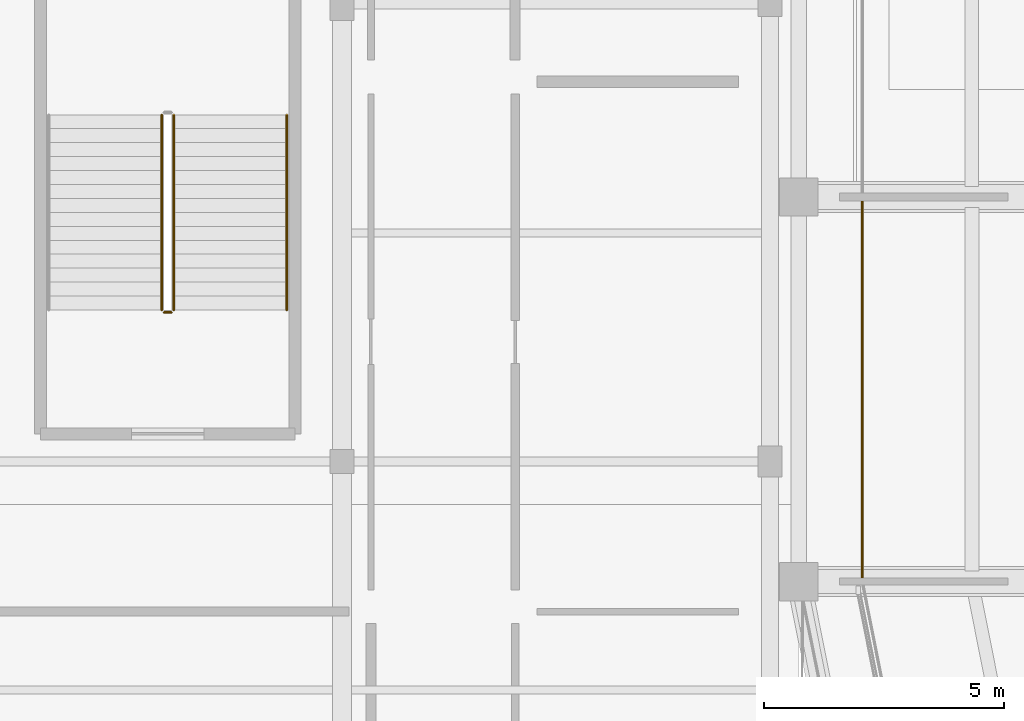
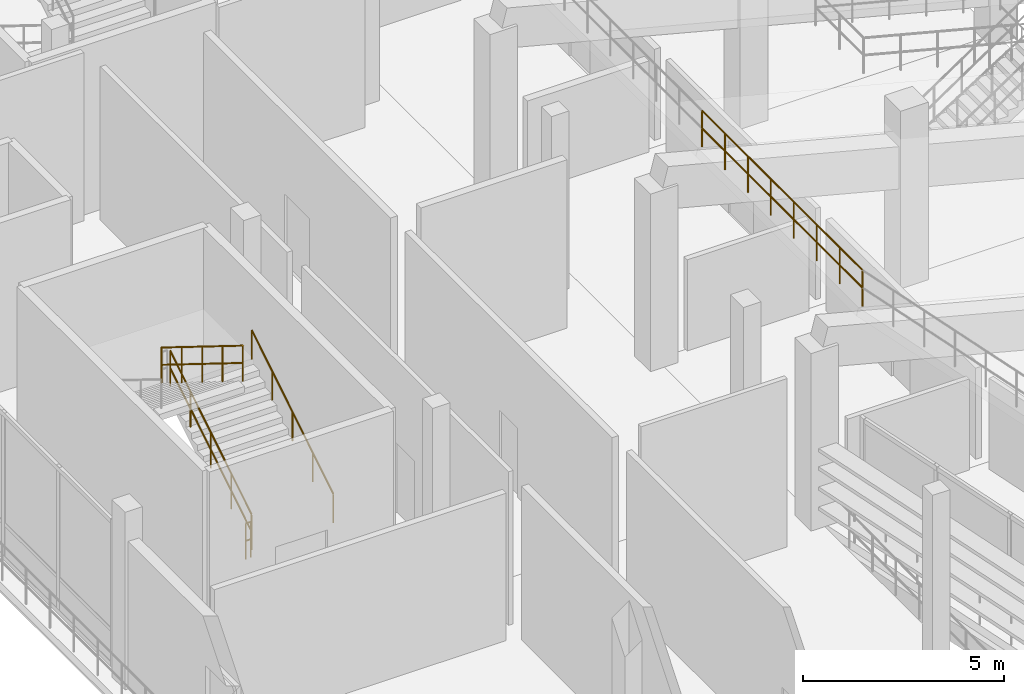
# One storey, part 81 of 96: 5 railings.
"""IFC4 building model written with IfcOpenShell, lengths in metres."""

from ifc_helpers import new_model, si_unit, direction, frame, origin, origin_2d, place, context, subcontext, project, spatial, circle, extrude, material, layer, layer_set, type_object, element, save


model = new_model("IFC4")

# Units and contexts
model_context = context("Model", 3, precision=1e-05, world=origin(), true_north=direction((0.0, 1.0)))
body_context = subcontext(model_context, "Body", "Model", "MODEL_VIEW")
ifc_project = project(units=[si_unit("LENGTHUNIT", "METRE"), si_unit("AREAUNIT", "SQUARE_METRE"), si_unit("VOLUMEUNIT", "CUBIC_METRE"), si_unit("PLANEANGLEUNIT", "RADIAN"), si_unit("MASSUNIT", "GRAM", prefix="KILO")], contexts=[model_context])

# Site, building, storey
site_placement = place(None, origin())
site = spatial("IfcSite", under=ifc_project, at=site_placement, CompositionType="ELEMENT")
building_placement = place(site_placement, origin())
building = spatial("IfcBuilding", under=site, at=building_placement, Name="Candeia Ridge Stadium", CompositionType="ELEMENT")
storey_placement = place(building_placement, frame((0.0, 0.0, 21.60009765625)))
storey = spatial("IfcBuildingStorey", under=building, at=storey_placement, Name="L04", CompositionType="ELEMENT", Elevation=21.60009765625)

# Railings
ifc_material_1 = material(Name="Galvanized Powder-Coated Steel", Category="steel")
ifc_layer_1 = layer(ifc_material_1, 0.074951171875, Name="Galvanized Powder-Coated Steel", Category="steel")
ifc_layer_set_1 = layer_set([ifc_layer_1], Name="Galvanized Powder-Coated Steel")
railing_type_1 = type_object("IfcRailingType", Name="Spectator Bowl Front Guardrail 1120", PredefinedType="GUARDRAIL", material=ifc_layer_set_1)
railing_1_placement = place(storey_placement, frame((20.320068359375, 79.0, 6.0)))
element("IfcRailing", 1, at=railing_1_placement, inside=storey, type_object=railing_type_1, Name="Stand T3 rear safety guardrail bay 14", PredefinedType="GUARDRAIL", context=body_context, shape_type="SweptSolid", body=[
    extrude(circle(Radius=0.02392578125, at=origin_2d()), frame((0.0, 0.0, 1.09619140625), z_axis=(0.0, -1.0, 0.0), x_axis=(1.0, 0.0, 0.0)), (0.0, 0.0, 1.0), 8.0),
    extrude(circle(Radius=0.02392578125, at=origin_2d()), frame((0.0, 0.0, 0.56005859375), z_axis=(0.0, -1.0, 0.0), x_axis=(1.0, 0.0, 0.0)), (0.0, 0.0, 1.0), 8.0),
    extrude(circle(Radius=0.02099609375, at=origin_2d()), origin(), (0.0, 0.0, 1.0), 1.072021484375),
    extrude(circle(Radius=0.02099609375, at=origin_2d()), frame((0.0, -1.142822265625, 0.0)), (0.0, 0.0, 1.0), 1.072021484375),
    extrude(circle(Radius=0.02099609375, at=origin_2d()), frame((0.0, -2.28564453125, 0.0)), (0.0, 0.0, 1.0), 1.072021484375),
    extrude(circle(Radius=0.02099609375, at=origin_2d()), frame((0.0, -3.428466796875, 0.0)), (0.0, 0.0, 1.0), 1.072021484375),
    extrude(circle(Radius=0.02099609375, at=origin_2d()), frame((0.0, -4.571533203125, 0.0)), (0.0, 0.0, 1.0), 1.072021484375),
    extrude(circle(Radius=0.02099609375, at=origin_2d()), frame((0.0, -5.71435546875, 0.0)), (0.0, 0.0, 1.0), 1.072021484375),
    extrude(circle(Radius=0.02099609375, at=origin_2d()), frame((0.0, -6.857177734375, 0.0)), (0.0, 0.0, 1.0), 1.072021484375),
    extrude(circle(Radius=0.02099609375, at=origin_2d()), frame((0.0, -8.0, 0.0)), (0.0, 0.0, 1.0), 1.072021484375),
])
ifc_material_2 = material(Name="Brushed Stainless Steel", Category="steel")
ifc_layer_2 = layer(ifc_material_2, 0.048095703125, Name="Brushed Stainless Steel", Category="steel")
ifc_layer_set_2 = layer_set([ifc_layer_2], Name="Brushed Stainless Steel")
railing_type_2 = type_object("IfcRailingType", Name="Stair Wall & Flight Handrail 900", PredefinedType="HANDRAIL", material=ifc_layer_set_2)
railing_2_placement = place(storey_placement, frame((8.35009765625, 76.64990234375, 0.179931640625)))
element("IfcRailing", 2, at=railing_2_placement, inside=storey, type_object=railing_type_2, Name="L04 ST07 stair handrail 1", PredefinedType="HANDRAIL", context=body_context, shape_type="SweptSolid", body=[
    extrude(circle(Radius=0.02392578125, at=origin_2d()), frame((0.0, 0.0, 0.8759765625), z_axis=(0.0, 0.849641744969, 0.527360318194), x_axis=(-1.0, 0.0, 0.0)), (0.0, 0.0, 1.0), 4.778564453125),
    extrude(circle(Radius=0.02099609375, at=origin_2d()), origin(), (0.0, 0.0, 1.0), 0.851806640625),
    extrude(circle(Radius=0.02099609375, at=origin_2d()), frame((0.0, 1.01513671875, 0.6298828125)), (0.0, 0.0, 1.0), 0.851806640625),
    extrude(circle(Radius=0.02099609375, at=origin_2d()), frame((0.0, 2.030029296875, 1.260009765625)), (0.0, 0.0, 1.0), 0.851806640625),
    extrude(circle(Radius=0.02099609375, at=origin_2d()), frame((0.0, 3.044921875, 1.89013671875)), (0.0, 0.0, 1.0), 0.851806640625),
    extrude(circle(Radius=0.02099609375, at=origin_2d()), frame((0.0, 4.06005859375, 2.52001953125)), (0.0, 0.0, 1.0), 0.851806640625),
])
ifc_layer_3 = layer(ifc_material_1, 0.06005859375, Name="Galvanized Powder-Coated Steel", Category="steel")
ifc_layer_set_3 = layer_set([ifc_layer_3], Name="Galvanized Powder-Coated Steel")
railing_type_3 = type_object("IfcRailingType", Name="Stair Well Guardrail 1100", PredefinedType="GUARDRAIL", material=ifc_layer_set_3)
railing_3_placement = place(storey_placement, frame((6.0, 76.64990234375, 0.179931640625)))
element("IfcRailing", 3, at=railing_3_placement, inside=storey, type_object=railing_type_3, Name="L04 ST07 stair guard 1", PredefinedType="GUARDRAIL", context=body_context, shape_type="SweptSolid", body=[
    extrude(circle(Radius=0.02392578125, at=origin_2d()), frame((0.0, 0.0, 1.076171875), z_axis=(0.0, 0.849641744969, 0.527360318194), x_axis=(-1.0, 0.0, 0.0)), (0.0, 0.0, 1.0), 4.778564453125),
    extrude(circle(Radius=0.02392578125, at=origin_2d()), frame((0.0, 0.0, 0.550048828125), z_axis=(0.0, 0.849641744969, 0.527360318194), x_axis=(-1.0, 0.0, 0.0)), (0.0, 0.0, 1.0), 4.778564453125),
    extrude(circle(Radius=0.02099609375, at=origin_2d()), origin(), (0.0, 0.0, 1.0), 1.052001953125),
    extrude(circle(Radius=0.02099609375, at=origin_2d()), frame((0.0, 1.01513671875, 0.6298828125)), (0.0, 0.0, 1.0), 1.052001953125),
    extrude(circle(Radius=0.02099609375, at=origin_2d()), frame((0.0, 2.030029296875, 1.260009765625)), (0.0, 0.0, 1.0), 1.052001953125),
    extrude(circle(Radius=0.02099609375, at=origin_2d()), frame((0.0, 3.044921875, 1.89013671875)), (0.0, 0.0, 1.0), 1.052001953125),
    extrude(circle(Radius=0.02099609375, at=origin_2d()), frame((0.0, 4.06005859375, 2.52001953125)), (0.0, 0.0, 1.0), 1.052001953125),
])
railing_4_placement = place(storey_placement, frame((5.75, 80.7099609375, 2.8798828125)))
element("IfcRailing", 4, at=railing_4_placement, inside=storey, type_object=railing_type_3, Name="L04 ST07 stair guard 3", PredefinedType="GUARDRAIL", context=body_context, shape_type="SweptSolid", body=[
    extrude(circle(Radius=0.02392578125, at=origin_2d()), frame((0.0, 0.0, 1.076171875), z_axis=(0.0, -0.849641744969, 0.527360318194), x_axis=(1.0, 0.0, 0.0)), (0.0, 0.0, 1.0), 4.778564453125),
    extrude(circle(Radius=0.02392578125, at=origin_2d()), frame((0.0, 0.0, 0.550048828125), z_axis=(0.0, -0.849641744969, 0.527360318194), x_axis=(1.0, 0.0, 0.0)), (0.0, 0.0, 1.0), 4.778564453125),
    extrude(circle(Radius=0.02099609375, at=origin_2d()), origin(), (0.0, 0.0, 1.0), 1.052001953125),
    extrude(circle(Radius=0.02099609375, at=origin_2d()), frame((0.0, -1.01513671875, 0.6298828125)), (0.0, 0.0, 1.0), 1.052001953125),
    extrude(circle(Radius=0.02099609375, at=origin_2d()), frame((0.0, -2.030029296875, 1.260009765625)), (0.0, 0.0, 1.0), 1.052001953125),
    extrude(circle(Radius=0.02099609375, at=origin_2d()), frame((0.0, -3.044921875, 1.89013671875)), (0.0, 0.0, 1.0), 1.052001953125),
    extrude(circle(Radius=0.02099609375, at=origin_2d()), frame((0.0, -4.06005859375, 2.52001953125)), (0.0, 0.0, 1.0), 1.052001953125),
])
railing_5_placement = place(storey_placement, frame((5.949951171875, 76.60009765625, 0.0)))
element("IfcRailing", 5, at=railing_5_placement, inside=storey, type_object=railing_type_3, Name="L04 ST07 stair guard 4", PredefinedType="GUARDRAIL", context=body_context, shape_type="SweptSolid", body=[
    extrude(circle(Radius=0.02392578125, at=origin_2d()), frame((0.0, 0.0, 1.076171875), z_axis=(-1.0, 0.0, 0.0), x_axis=(0.0, -1.0, 0.0)), (0.0, 0.0, 1.0), 0.14990234375),
    extrude(circle(Radius=0.02392578125, at=origin_2d()), frame((0.0, 0.0, 0.550048828125), z_axis=(-1.0, 0.0, 0.0), x_axis=(0.0, -1.0, 0.0)), (0.0, 0.0, 1.0), 0.14990234375),
    extrude(circle(Radius=0.02099609375, at=origin_2d()), origin(), (0.0, 0.0, 1.0), 1.052001953125),
    extrude(circle(Radius=0.02099609375, at=origin_2d()), frame((-0.14990234375, 0.0, 0.0)), (0.0, 0.0, 1.0), 1.052001953125),
])

save(model, "model.ifc")
